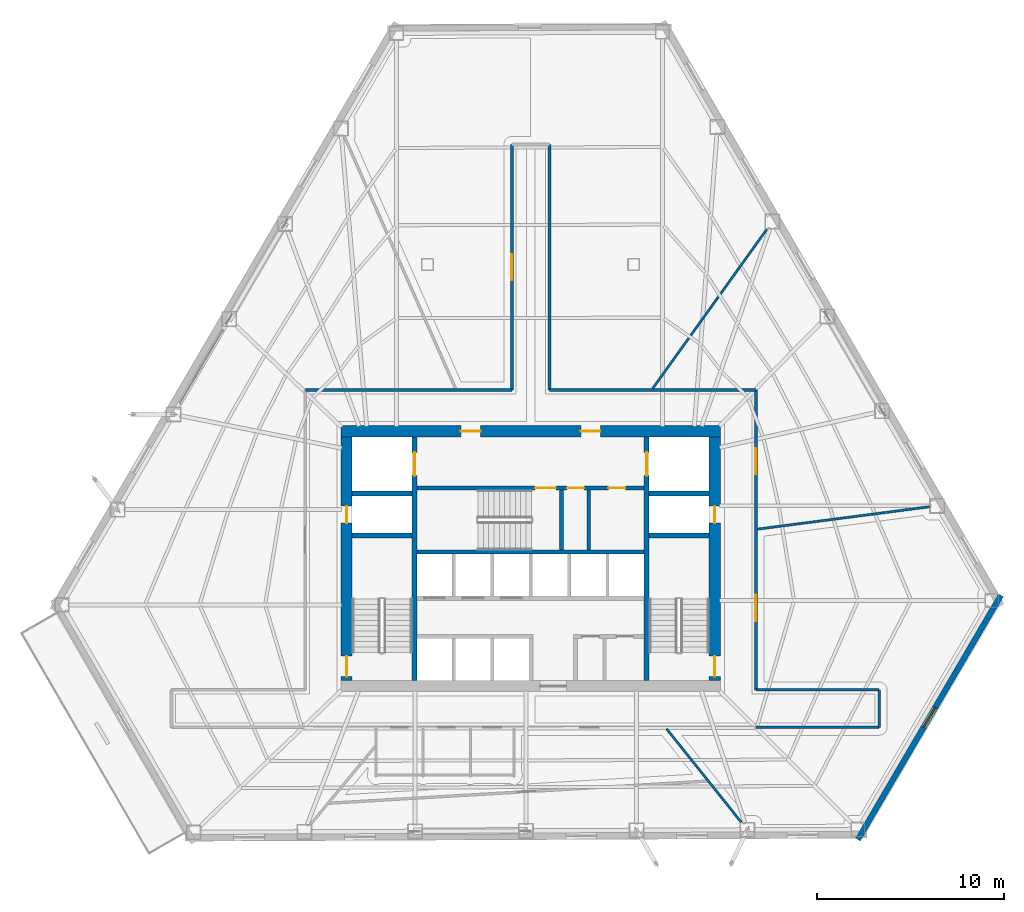
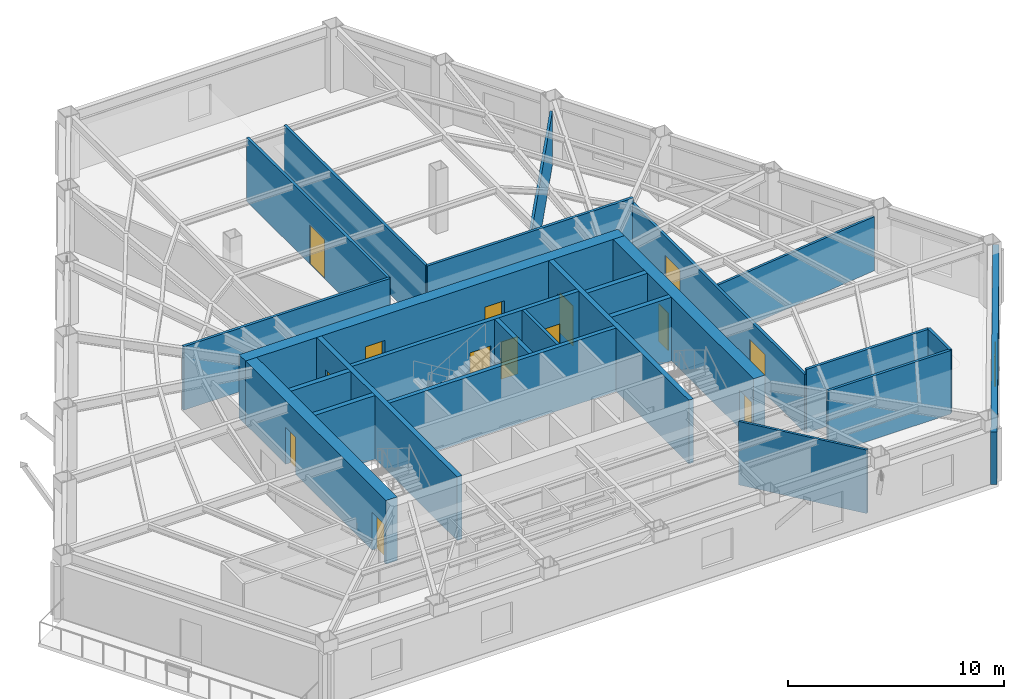
# One storey, part 10 of 15: 25 walls, 14 doors, 1 window, 15 openings.
"""IFC4 building model written with IfcOpenShell, lengths in metres."""

from ifc_helpers import new_model, si_unit, direction, frame, frame_2d, origin, place, context, subcontext, project, spatial, rectangle, extrude, material, layer, layer_set, type_object, element, fill, save


model = new_model("IFC4")

# Units and contexts
model_context = context("Model", 3, precision=1e-05, world=origin(), true_north=direction((0.0, 1.0)))
body_context = subcontext(model_context, "Body", "Model", "MODEL_VIEW")
ifc_project = project(units=[si_unit("LENGTHUNIT", "METRE"), si_unit("AREAUNIT", "SQUARE_METRE"), si_unit("VOLUMEUNIT", "CUBIC_METRE"), si_unit("PLANEANGLEUNIT", "RADIAN"), si_unit("MASSUNIT", "GRAM", prefix="KILO")], contexts=[model_context])

# Site, building, storey
site_placement = place(None, origin())
site = spatial("IfcSite", under=ifc_project, at=site_placement, CompositionType="ELEMENT")
building_placement = place(site_placement, origin())
building = spatial("IfcBuilding", under=site, at=building_placement, Name="Kavelnor Concourse Tower", CompositionType="ELEMENT")
storey_placement = place(building_placement, frame((0.0, 0.0, 67.60009765625)))
storey = spatial("IfcBuildingStorey", under=building, at=storey_placement, Name="L17", CompositionType="ELEMENT", Elevation=67.60009765625)

# Wall, openings, doors
ifc_material_1 = material(Name="Concrete C60/75", Category="concrete")
ifc_layer_1 = layer(ifc_material_1, 0.60009765625, Name="Concrete C60/75")
ifc_layer_set_1 = layer_set([ifc_layer_1], Name="Concrete C60/75")
wall_type_1 = type_object("IfcWallType", Name="WL-CORE-Z1-600", PredefinedType="SOLIDWALL", material=ifc_layer_set_1)
wall_1_placement = place(storey_placement, frame((27.8798828125, 22.89990234375, 0.0), z_axis=(0.0, 0.0, 1.0), x_axis=(1.0, 0.0, 0.0)))
wall_1 = element("IfcWall", 1, at=wall_1_placement, inside=storey, type_object=wall_type_1, Name="L17 Central Core North Shear Wall", PredefinedType="SOLIDWALL", context=body_context, shape_type="SweptSolid", body=[
    extrude(rectangle(XDim=20.240234375, YDim=0.60009765625, at=frame_2d((10.1201171875, 0.0))), origin(), (0.0, 0.0, 1.0), 3.58984375),
])
opening_1_placement = place(wall_1_placement, frame((6.39501953125, 0.0, 0.0)))
opening_1 = element("IfcOpeningElement", 2, at=opening_1_placement, cuts=wall_1, Name="Opening FD-105", PredefinedType="OPENING", context=body_context, shape_type="SweptSolid", body=[
    extrude(rectangle(XDim=1.050048828125, YDim=2.14990234375, at=frame_2d((0.52490234375, 1.074951171875))), frame((0.0, 0.31005859375, 0.0), z_axis=(0.0, -1.0, 0.0), x_axis=(1.0, 0.0, 0.0)), (0.0, 0.0, 1.0), 0.6201171875),
])
opening_2_placement = place(wall_1_placement, frame((12.794921875, 0.0, 0.0)))
opening_2 = element("IfcOpeningElement", 3, at=opening_2_placement, cuts=wall_1, Name="Opening FD-105", PredefinedType="OPENING", context=body_context, shape_type="SweptSolid", body=[
    extrude(rectangle(XDim=1.050048828125, YDim=2.14990234375, at=frame_2d((0.52490234375, 1.074951171875))), frame((0.0, 0.31005859375, 0.0), z_axis=(0.0, -1.0, 0.0), x_axis=(1.0, 0.0, 0.0)), (0.0, 0.0, 1.0), 0.6201171875),
])
ifc_material_2 = material(Name="Steel Grade 350", Category="steel")
door_type_1 = type_object("IfcDoorType", Name="DR-LOBBY-FIRE-1050", OperationType="NOTDEFINED", PredefinedType="DOOR", material=ifc_material_2)
door_1_placement = place(opening_1_placement, origin())
door_1 = element("IfcDoor", 4, at=door_1_placement, inside=storey, type_object=door_type_1, Name="L17 Emergency Lift Lobby West Door", OperationType="SINGLE_SWING_LEFT", OverallHeight=2.14990234375, OverallWidth=1.050048828125, PredefinedType="DOOR", context=body_context, shape_type="SweptSolid", body=[
    extrude(rectangle(XDim=1.050048828125, YDim=2.14990234375, at=frame_2d((0.52490234375, 1.074951171875))), frame((0.0, 0.02490234375, 0.0), z_axis=(0.0, -1.0, 0.0), x_axis=(1.0, 0.0, 0.0)), (0.0, 0.0, 1.0), 0.050048828125),
])
fill(opening_1, door_1)
door_2_placement = place(opening_2_placement, origin())
door_2 = element("IfcDoor", 5, at=door_2_placement, inside=storey, type_object=door_type_1, Name="L17 Emergency Lift Lobby East Door", OperationType="SINGLE_SWING_RIGHT", OverallHeight=2.14990234375, OverallWidth=1.050048828125, PredefinedType="DOOR", context=body_context, shape_type="SweptSolid", body=[
    extrude(rectangle(XDim=1.050048828125, YDim=2.14990234375, at=frame_2d((0.52490234375, 1.074951171875))), frame((0.0, 0.02490234375, 0.0), z_axis=(0.0, -1.0, 0.0), x_axis=(1.0, 0.0, 0.0)), (0.0, 0.0, 1.0), 0.050048828125),
])
fill(opening_2, door_2)

wall_2_placement = place(storey_placement, frame((28.179931640625, 9.60009765625, 0.0), z_axis=(0.0, 0.0, 1.0), x_axis=(0.0, 1.0, 0.0)))
wall_2 = element("IfcWall", 6, at=wall_2_placement, inside=storey, type_object=wall_type_1, Name="L17 Central Core West Shear Wall", PredefinedType="SOLIDWALL", context=body_context, shape_type="SweptSolid", body=[
    extrude(rectangle(XDim=13.0, YDim=0.60009765625, at=frame_2d((6.5, 0.0))), origin(), (0.0, 0.0, 1.0), 3.58984375),
])
opening_3_placement = place(wall_2_placement, frame((0.199951171875, 0.0, 0.0)))
opening_3 = element("IfcOpeningElement", 7, at=opening_3_placement, cuts=wall_2, Name="Opening FD-110", PredefinedType="OPENING", context=body_context, shape_type="SweptSolid", body=[
    extrude(rectangle(XDim=1.10009765625, YDim=2.14990234375, at=frame_2d((0.550048828125, 1.074951171875))), frame((0.0, 0.31005859375, 0.0), z_axis=(0.0, -1.0, 0.0), x_axis=(1.0, 0.0, 0.0)), (0.0, 0.0, 1.0), 0.6201171875),
])
opening_4_placement = place(wall_2_placement, frame((8.39990234375, 0.0, 0.0)))
opening_4 = element("IfcOpeningElement", 8, at=opening_4_placement, cuts=wall_2, Name="Opening FD-090", PredefinedType="OPENING", context=body_context, shape_type="SweptSolid", body=[
    extrude(rectangle(XDim=0.89990234375, YDim=2.10009765625, at=frame_2d((0.449951171875, 1.050048828125))), frame((0.0, 0.31005859375, 0.0), z_axis=(0.0, -1.0, 0.0), x_axis=(1.0, 0.0, 0.0)), (0.0, 0.0, 1.0), 0.6201171875),
])
door_type_2 = type_object("IfcDoorType", Name="DR-RISER-FIRE-900", OperationType="NOTDEFINED", PredefinedType="DOOR", material=ifc_material_2)
door_3_placement = place(opening_4_placement, origin())
door_3 = element("IfcDoor", 9, at=door_3_placement, inside=storey, type_object=door_type_2, Name="L17 West Riser Access Door", OperationType="SINGLE_SWING_RIGHT", OverallHeight=2.10009765625, OverallWidth=0.89990234375, PredefinedType="DOOR", context=body_context, shape_type="SweptSolid", body=[
    extrude(rectangle(XDim=0.89990234375, YDim=2.10009765625, at=frame_2d((0.449951171875, 1.050048828125))), frame((0.0, 0.02490234375, 0.0), z_axis=(0.0, -1.0, 0.0), x_axis=(1.0, 0.0, 0.0)), (0.0, 0.0, 1.0), 0.050048828125),
])
fill(opening_4, door_3)
door_type_3 = type_object("IfcDoorType", Name="DR-STAIR-FIRE-1100", OperationType="NOTDEFINED", PredefinedType="DOOR", material=ifc_material_2)
door_4_placement = place(opening_3_placement, origin())
door_4 = element("IfcDoor", 10, at=door_4_placement, inside=storey, type_object=door_type_3, Name="L17 Stair ST1 Fire Door", OperationType="SINGLE_SWING_LEFT", OverallHeight=2.14990234375, OverallWidth=1.10009765625, PredefinedType="DOOR", context=body_context, shape_type="SweptSolid", body=[
    extrude(rectangle(XDim=1.10009765625, YDim=2.14990234375, at=frame_2d((0.550048828125, 1.074951171875))), frame((0.0, 0.02490234375, 0.0), z_axis=(0.0, -1.0, 0.0), x_axis=(1.0, 0.0, 0.0)), (0.0, 0.0, 1.0), 0.050048828125),
])
fill(opening_3, door_4)

wall_3_placement = place(storey_placement, frame((47.820068359375, 9.60009765625, 0.0), z_axis=(0.0, 0.0, 1.0), x_axis=(0.0, 1.0, 0.0)))
wall_3 = element("IfcWall", 11, at=wall_3_placement, inside=storey, type_object=wall_type_1, Name="L17 Central Core East Shear Wall", PredefinedType="SOLIDWALL", context=body_context, shape_type="SweptSolid", body=[
    extrude(rectangle(XDim=13.0, YDim=0.60009765625, at=frame_2d((6.5, 0.0))), origin(), (0.0, 0.0, 1.0), 3.58984375),
])
opening_5_placement = place(wall_3_placement, frame((0.199951171875, 0.0, 0.0)))
opening_5 = element("IfcOpeningElement", 12, at=opening_5_placement, cuts=wall_3, Name="Opening FD-110", PredefinedType="OPENING", context=body_context, shape_type="SweptSolid", body=[
    extrude(rectangle(XDim=1.10009765625, YDim=2.14990234375, at=frame_2d((0.550048828125, 1.074951171875))), frame((0.0, 0.31005859375, 0.0), z_axis=(0.0, -1.0, 0.0), x_axis=(1.0, 0.0, 0.0)), (0.0, 0.0, 1.0), 0.6201171875),
])
opening_6_placement = place(wall_3_placement, frame((8.39990234375, 0.0, 0.0)))
opening_6 = element("IfcOpeningElement", 13, at=opening_6_placement, cuts=wall_3, Name="Opening FD-090", PredefinedType="OPENING", context=body_context, shape_type="SweptSolid", body=[
    extrude(rectangle(XDim=0.89990234375, YDim=2.10009765625, at=frame_2d((0.449951171875, 1.050048828125))), frame((0.0, 0.31005859375, 0.0), z_axis=(0.0, -1.0, 0.0), x_axis=(1.0, 0.0, 0.0)), (0.0, 0.0, 1.0), 0.6201171875),
])
door_5_placement = place(opening_6_placement, origin())
door_5 = element("IfcDoor", 14, at=door_5_placement, inside=storey, type_object=door_type_2, Name="L17 East Riser Access Door", OperationType="SINGLE_SWING_LEFT", OverallHeight=2.10009765625, OverallWidth=0.89990234375, PredefinedType="DOOR", context=body_context, shape_type="SweptSolid", body=[
    extrude(rectangle(XDim=0.89990234375, YDim=2.10009765625, at=frame_2d((0.449951171875, 1.050048828125))), frame((0.0, 0.02490234375, 0.0), z_axis=(0.0, -1.0, 0.0), x_axis=(1.0, 0.0, 0.0)), (0.0, 0.0, 1.0), 0.050048828125),
])
fill(opening_6, door_5)
door_6_placement = place(opening_5_placement, origin())
door_6 = element("IfcDoor", 15, at=door_6_placement, inside=storey, type_object=door_type_3, Name="L17 Stair ST2 Fire Door", OperationType="SINGLE_SWING_RIGHT", OverallHeight=2.14990234375, OverallWidth=1.10009765625, PredefinedType="DOOR", context=body_context, shape_type="SweptSolid", body=[
    extrude(rectangle(XDim=1.10009765625, YDim=2.14990234375, at=frame_2d((0.550048828125, 1.074951171875))), frame((0.0, 0.02490234375, 0.0), z_axis=(0.0, -1.0, 0.0), x_axis=(1.0, 0.0, 0.0)), (0.0, 0.0, 1.0), 0.050048828125),
])
fill(opening_5, door_6)

# Wall, opening, window
ifc_material_3 = material(Name="Buff ironspot clay face brick masonry", Category="masonry")
ifc_layer_2 = layer(ifc_material_3, 0.300048828125, Name="Buff ironspot clay face brick masonry")
ifc_layer_set_2 = layer_set([ifc_layer_2], Name="Buff ironspot clay face brick masonry")
wall_type_2 = type_object("IfcWallType", Name="WL-EXT-BUFF-BRICK-FOLD-300", PredefinedType="STANDARD", material=ifc_layer_set_2)
wall_4_placement = place(storey_placement, frame((63.091064453125, 14.142822265625, 0.0), z_axis=(0.0, 0.0, 1.0), x_axis=(-0.505336903524, -0.86292213666, 0.0)))
wall_4 = element("IfcWall", 16, at=wall_4_placement, inside=storey, type_object=wall_type_2, Name="L17 Exterior Brick Facade Wall E4", PredefinedType="STANDARD", context=body_context, shape_type="SweptSolid", body=[
    extrude(rectangle(XDim=15.10107421875, YDim=0.300048828125, at=frame_2d((7.550537109375, 0.0))), origin(), (0.0, 0.0, 1.0), 2.969970703125),
])
opening_7_placement = place(wall_4_placement, frame((6.95068359375, 0.0, 0.64990234375)))
opening_7 = element("IfcOpeningElement", 17, at=opening_7_placement, cuts=wall_4, Name="Opening W-05", PredefinedType="OPENING", context=body_context, shape_type="SweptSolid", body=[
    extrude(rectangle(XDim=1.199951171875, YDim=1.699951171875, at=frame_2d((0.60009765625, 0.85009765625))), frame((0.0, 0.16015625, 0.0), z_axis=(0.0, -1.0, 0.0), x_axis=(1.0, 0.0, 0.0)), (0.0, 0.0, 1.0), 0.320068359375),
])
ifc_material_4 = material(Name="Double low-E argon insulated glazing", Category="glass")
window_type = type_object("IfcWindowType", Name="WIN-FOLD-1200", PartitioningType="SINGLE_PANEL", PredefinedType="WINDOW", material=ifc_material_4)
window_placement = place(opening_7_placement, origin())
window = element("IfcWindow", 18, at=window_placement, inside=storey, type_object=window_type, Name="L17 Chamfer-Fold Facet Window C2", OverallHeight=1.699951171875, OverallWidth=1.199951171875, PartitioningType="SINGLE_PANEL", PredefinedType="WINDOW", context=body_context, shape_type="SweptSolid", body=[
    extrude(rectangle(XDim=1.199951171875, YDim=1.699951171875, at=frame_2d((0.60009765625, 0.85009765625))), frame((0.0, 0.030029296875, 0.0), z_axis=(0.0, -1.0, 0.0), x_axis=(1.0, 0.0, 0.0)), (0.0, 0.0, 1.0), 0.06005859375),
])
fill(opening_7, window)

# Wall
ifc_material_5 = material(Name="Gypsum plasterboard on light-gauge steel studs", Category="steel")
ifc_layer_3 = layer(ifc_material_5, 0.14501953125, Name="Gypsum plasterboard on light-gauge steel studs")
ifc_layer_set_3 = layer_set([ifc_layer_3], Name="Gypsum plasterboard on light-gauge steel studs")
wall_type_3 = type_object("IfcWallType", Name="WL-INT-CORR-145", PredefinedType="PARTITIONING", material=ifc_layer_set_3)
wall_5_placement = place(storey_placement, frame((25.97998046875, 25.10009765625, 0.0), z_axis=(0.0, 0.0, 1.0), x_axis=(1.0, 0.0, 0.0)))
element("IfcWall", 19, at=wall_5_placement, inside=storey, type_object=wall_type_3, Name="L17 Corridor Wall WL-L17-CR-03", PredefinedType="PARTITIONING", context=body_context, shape_type="SweptSolid", body=[
    extrude(rectangle(XDim=11.02001953125, YDim=0.14501953125, at=frame_2d((5.510009765625, 0.0))), origin(), (0.0, 0.0, 1.0), 3.58984375),
])

# Wall, opening, door
wall_6_placement = place(storey_placement, frame((37.0, 25.10009765625, 0.0), z_axis=(0.0, 0.0, 1.0), x_axis=(0.0, 1.0, 0.0)))
wall_6 = element("IfcWall", 20, at=wall_6_placement, inside=storey, type_object=wall_type_3, Name="L17 Corridor Wall WL-L17-CR-04", PredefinedType="PARTITIONING", context=body_context, shape_type="SweptSolid", body=[
    extrude(rectangle(XDim=13.099853515625, YDim=0.14501953125, at=frame_2d((6.5498046875, 0.0))), origin(), (0.0, 0.0, 1.0), 3.58984375),
])
opening_8_placement = place(wall_6_placement, frame((5.85009765625, 0.0, 0.0)))
opening_8 = element("IfcOpeningElement", 21, at=opening_8_placement, cuts=wall_6, Name="Opening SD-140", PredefinedType="OPENING", context=body_context, shape_type="SweptSolid", body=[
    extrude(rectangle(XDim=1.39990234375, YDim=2.199951171875, at=frame_2d((0.699951171875, 1.10009765625))), frame((0.0, 0.08251953125, 0.0), z_axis=(0.0, -1.0, 0.0), x_axis=(1.0, 0.0, 0.0)), (0.0, 0.0, 1.0), 0.1650390625),
])
ifc_material_6 = material(Name="Solid-core hardwood timber", Category="wood")
door_type_4 = type_object("IfcDoorType", Name="DR-SUITE-ENTRY-1400", OperationType="NOTDEFINED", PredefinedType="DOOR", material=ifc_material_6)
door_7_placement = place(opening_8_placement, origin())
door_7 = element("IfcDoor", 22, at=door_7_placement, inside=storey, type_object=door_type_4, Name="L17 Staff Breakout Pantry 02 Door", OperationType="SINGLE_SWING_RIGHT", OverallHeight=2.199951171875, OverallWidth=1.39990234375, PredefinedType="DOOR", context=body_context, shape_type="SweptSolid", body=[
    extrude(rectangle(XDim=1.39990234375, YDim=2.199951171875, at=frame_2d((0.699951171875, 1.10009765625))), frame((0.0, 0.02490234375, 0.0), z_axis=(0.0, -1.0, 0.0), x_axis=(1.0, 0.0, 0.0)), (0.0, 0.0, 1.0), 0.050048828125),
])
fill(opening_8, door_7)

# Walls
wall_7_placement = place(storey_placement, frame((39.0, 38.199951171875, 0.0), z_axis=(0.0, 0.0, 1.0), x_axis=(0.0, -1.0, 0.0)))
element("IfcWall", 23, at=wall_7_placement, inside=storey, type_object=wall_type_3, Name="L17 Corridor Wall WL-L17-CR-06", PredefinedType="PARTITIONING", context=body_context, shape_type="SweptSolid", body=[
    extrude(rectangle(XDim=13.099853515625, YDim=0.14501953125, at=frame_2d((6.5498046875, 0.0))), origin(), (0.0, 0.0, 1.0), 3.58984375),
])
wall_8_placement = place(storey_placement, frame((39.0, 25.10009765625, 0.0), z_axis=(0.0, 0.0, 1.0), x_axis=(1.0, 0.0, 0.0)))
element("IfcWall", 24, at=wall_8_placement, inside=storey, type_object=wall_type_3, Name="L17 Corridor Wall WL-L17-CR-07", PredefinedType="PARTITIONING", context=body_context, shape_type="SweptSolid", body=[
    extrude(rectangle(XDim=11.02001953125, YDim=0.14501953125, at=frame_2d((5.510009765625, 0.0))), origin(), (0.0, 0.0, 1.0), 3.58984375),
])

# Wall, openings, doors
wall_9_placement = place(storey_placement, frame((50.02001953125, 25.10009765625, 0.0), z_axis=(0.0, 0.0, 1.0), x_axis=(0.0, -1.0, 0.0)))
wall_9 = element("IfcWall", 25, at=wall_9_placement, inside=storey, type_object=wall_type_3, Name="L17 Corridor Wall WL-L17-CR-08", PredefinedType="PARTITIONING", context=body_context, shape_type="SweptSolid", body=[
    extrude(rectangle(XDim=16.0, YDim=0.14501953125, at=frame_2d((8.0, 0.0))), origin(), (0.0, 0.0, 1.0), 3.27783203125),
])
opening_9_placement = place(wall_9_placement, frame((3.098388671875, 0.0, 0.0)))
opening_9 = element("IfcOpeningElement", 26, at=opening_9_placement, cuts=wall_9, Name="Opening SD-140", PredefinedType="OPENING", context=body_context, shape_type="SweptSolid", body=[
    extrude(rectangle(XDim=1.39990234375, YDim=2.199951171875, at=frame_2d((0.699951171875, 1.10009765625))), frame((0.0, 0.08251953125, 0.0), z_axis=(0.0, -1.0, 0.0), x_axis=(1.0, 0.0, 0.0)), (0.0, 0.0, 1.0), 0.1650390625),
])
opening_10_placement = place(wall_9_placement, frame((10.927490234375, 0.0, 0.0)))
opening_10 = element("IfcOpeningElement", 27, at=opening_10_placement, cuts=wall_9, Name="Opening SD-140", PredefinedType="OPENING", context=body_context, shape_type="SweptSolid", body=[
    extrude(rectangle(XDim=1.39990234375, YDim=2.199951171875, at=frame_2d((0.699951171875, 1.10009765625))), frame((0.0, 0.08251953125, 0.0), z_axis=(0.0, -1.0, 0.0), x_axis=(1.0, 0.0, 0.0)), (0.0, 0.0, 1.0), 0.1650390625),
])
door_8_placement = place(opening_9_placement, origin())
door_8 = element("IfcDoor", 28, at=door_8_placement, inside=storey, type_object=door_type_4, Name="L17 Executive Dining Room 01 Door", OperationType="SINGLE_SWING_LEFT", OverallHeight=2.199951171875, OverallWidth=1.39990234375, PredefinedType="DOOR", context=body_context, shape_type="SweptSolid", body=[
    extrude(rectangle(XDim=1.39990234375, YDim=2.199951171875, at=frame_2d((0.699951171875, 1.10009765625))), frame((0.0, 0.02490234375, 0.0), z_axis=(0.0, -1.0, 0.0), x_axis=(1.0, 0.0, 0.0)), (0.0, 0.0, 1.0), 0.050048828125),
])
fill(opening_9, door_8)
door_9_placement = place(opening_10_placement, origin())
door_9 = element("IfcDoor", 29, at=door_9_placement, inside=storey, type_object=door_type_4, Name="L17 Executive Dining Room 06 Door", OperationType="SINGLE_SWING_RIGHT", OverallHeight=2.199951171875, OverallWidth=1.39990234375, PredefinedType="DOOR", context=body_context, shape_type="SweptSolid", body=[
    extrude(rectangle(XDim=1.39990234375, YDim=2.199951171875, at=frame_2d((0.699951171875, 1.10009765625))), frame((0.0, 0.02490234375, 0.0), z_axis=(0.0, -1.0, 0.0), x_axis=(1.0, 0.0, 0.0)), (0.0, 0.0, 1.0), 0.050048828125),
])
fill(opening_10, door_9)

# Walls
wall_10_placement = place(storey_placement, frame((50.02001953125, 9.10009765625, 0.0), z_axis=(0.0, 0.0, 1.0), x_axis=(1.0, 0.0, 0.0)))
element("IfcWall", 30, at=wall_10_placement, inside=storey, type_object=wall_type_3, Name="L17 Corridor Wall WL-L17-CR-09", PredefinedType="PARTITIONING", context=body_context, shape_type="SweptSolid", body=[
    extrude(rectangle(XDim=6.57177734375, YDim=0.14501953125, at=frame_2d((3.285888671875, 0.0))), origin(), (0.0, 0.0, 1.0), 3.58984375),
])
wall_11_placement = place(storey_placement, frame((56.591796875, 9.10009765625, 0.0), z_axis=(0.0, 0.0, 1.0), x_axis=(0.0, -1.0, 0.0)))
element("IfcWall", 31, at=wall_11_placement, inside=storey, type_object=wall_type_3, Name="L17 Corridor Wall WL-L17-CR-10", PredefinedType="PARTITIONING", context=body_context, shape_type="SweptSolid", body=[
    extrude(rectangle(XDim=2.0, YDim=0.14501953125, at=frame_2d((1.0, 0.0))), origin(), (0.0, 0.0, 1.0), 3.58984375),
])
wall_12_placement = place(storey_placement, frame((56.591796875, 7.10009765625, 0.0), z_axis=(0.0, 0.0, 1.0), x_axis=(-1.0, 0.0, 0.0)))
element("IfcWall", 32, at=wall_12_placement, inside=storey, type_object=wall_type_3, Name="L17 Corridor Wall WL-L17-CR-11", PredefinedType="PARTITIONING", context=body_context, shape_type="SweptSolid", body=[
    extrude(rectangle(XDim=6.57177734375, YDim=0.14501953125, at=frame_2d((3.285888671875, 0.0))), origin(), (0.0, 0.0, 1.0), 3.58984375),
])
ifc_layer_4 = layer(ifc_material_5, 0.1650390625, Name="Gypsum plasterboard on light-gauge steel studs")
ifc_layer_set_4 = layer_set([ifc_layer_4], Name="Gypsum plasterboard on light-gauge steel studs")
wall_type_4 = type_object("IfcWallType", Name="WL-INT-FIRE-165", PredefinedType="PARTITIONING", material=ifc_layer_set_4)
wall_13_placement = place(storey_placement, frame((41.10009765625, 16.56005859375, 0.0), z_axis=(0.0, 0.0, 1.0), x_axis=(0.0, 1.0, 0.0)))
element("IfcWall", 33, at=wall_13_placement, inside=storey, type_object=wall_type_4, Name="L17 Core Support West Divider", PredefinedType="PARTITIONING", context=body_context, shape_type="SweptSolid", body=[
    extrude(rectangle(XDim=3.199951171875, YDim=0.1650390625, at=frame_2d((1.60009765625, 0.0))), origin(), (0.0, 0.0, 1.0), 3.58984375),
])
ifc_layer_5 = layer(ifc_material_5, 0.125, Name="Gypsum plasterboard on light-gauge steel studs")
ifc_layer_set_5 = layer_set([ifc_layer_5], Name="Gypsum plasterboard on light-gauge steel studs")
wall_type_5 = type_object("IfcWallType", Name="WL-INT-SUITE-125", PredefinedType="PARTITIONING", material=ifc_layer_set_5)
wall_14_placement = place(storey_placement, frame((50.1005859375, 17.673583984375, 0.0), z_axis=(0.0, 0.0, 1.0), x_axis=(0.991648297641, 0.128971523162, 0.0)))
element("IfcWall", 34, at=wall_14_placement, inside=storey, type_object=wall_type_5, Name="L17 Radial Suite Partition 01", PredefinedType="PARTITIONING", context=body_context, shape_type="SweptSolid", body=[
    extrude(rectangle(XDim=9.2548828125, YDim=0.125, at=frame_2d((4.62744140625, 0.0))), origin(), (0.0, 0.0, 1.0), 3.056884765625),
])
wall_15_placement = place(storey_placement, frame((44.511962890625, 25.180419921875, 0.0), z_axis=(0.0, 0.0, 1.0), x_axis=(0.582750338363, 0.812651243239, 0.0)))
element("IfcWall", 35, at=wall_15_placement, inside=storey, type_object=wall_type_5, Name="L17 Radial Suite Partition 02", PredefinedType="PARTITIONING", context=body_context, shape_type="SweptSolid", body=[
    extrude(rectangle(XDim=10.454833984375, YDim=0.125, at=frame_2d((5.2275390625, 0.0))), origin(), (0.0, 0.0, 1.0), 3.056884765625),
])
wall_16_placement = place(storey_placement, frame((45.25390625, 7.01953125, 0.0), z_axis=(0.0, 0.0, 1.0), x_axis=(0.624167183672, -0.781290808103, 0.0)))
element("IfcWall", 36, at=wall_16_placement, inside=storey, type_object=wall_type_5, Name="L17 Radial Suite Partition 05", PredefinedType="PARTITIONING", context=body_context, shape_type="SweptSolid", body=[
    extrude(rectangle(XDim=6.375244140625, YDim=0.125, at=frame_2d((3.1875, 0.0))), origin(), (0.0, 0.0, 1.0), 3.58984375),
])

# Wall, openings, doors
ifc_material_7 = material(Name="Concrete C50/60", Category="concrete")
ifc_layer_6 = layer(ifc_material_7, 0.219970703125, Name="Concrete C50/60")
ifc_layer_set_6 = layer_set([ifc_layer_6], Name="Concrete C50/60")
wall_type_6 = type_object("IfcWallType", Name="WL-SHAFT-220", PredefinedType="SOLIDWALL", material=ifc_layer_set_6)
wall_17_placement = place(storey_placement, frame((31.93994140625, 19.8701171875, 0.0), z_axis=(0.0, 0.0, 1.0), x_axis=(1.0, 0.0, 0.0)))
wall_17 = element("IfcWall", 37, at=wall_17_placement, inside=storey, type_object=wall_type_6, Name="L17 Emergency Lift Lobby South Wall", PredefinedType="SOLIDWALL", context=body_context, shape_type="SweptSolid", body=[
    extrude(rectangle(XDim=12.1201171875, YDim=0.219970703125, at=frame_2d((6.06005859375, 0.0))), origin(), (0.0, 0.0, 1.0), 3.58984375),
])
opening_11_placement = place(wall_17_placement, frame((6.300048828125, 0.0, 0.0)))
opening_11 = element("IfcOpeningElement", 38, at=opening_11_placement, cuts=wall_17, Name="Opening FD-110", PredefinedType="OPENING", context=body_context, shape_type="SweptSolid", body=[
    extrude(rectangle(XDim=1.10009765625, YDim=2.14990234375, at=frame_2d((0.550048828125, 1.074951171875))), frame((0.0, 0.1201171875, 0.0), z_axis=(0.0, -1.0, 0.0), x_axis=(1.0, 0.0, 0.0)), (0.0, 0.0, 1.0), 0.239990234375),
])
opening_12_placement = place(wall_17_placement, frame((8.010009765625, 0.0, 0.0)))
opening_12 = element("IfcOpeningElement", 39, at=opening_12_placement, cuts=wall_17, Name="Opening FD-090", PredefinedType="OPENING", context=body_context, shape_type="SweptSolid", body=[
    extrude(rectangle(XDim=0.89990234375, YDim=2.10009765625, at=frame_2d((0.449951171875, 1.050048828125))), frame((0.0, 0.1201171875, 0.0), z_axis=(0.0, -1.0, 0.0), x_axis=(1.0, 0.0, 0.0)), (0.0, 0.0, 1.0), 0.239990234375),
])
opening_13_placement = place(wall_17_placement, frame((10.2099609375, 0.0, 0.0)))
opening_13 = element("IfcOpeningElement", 40, at=opening_13_placement, cuts=wall_17, Name="Opening FD-090", PredefinedType="OPENING", context=body_context, shape_type="SweptSolid", body=[
    extrude(rectangle(XDim=0.89990234375, YDim=2.10009765625, at=frame_2d((0.449951171875, 1.050048828125))), frame((0.0, 0.1201171875, 0.0), z_axis=(0.0, -1.0, 0.0), x_axis=(1.0, 0.0, 0.0)), (0.0, 0.0, 1.0), 0.239990234375),
])
door_10_placement = place(opening_12_placement, origin())
door_10 = element("IfcDoor", 41, at=door_10_placement, inside=storey, type_object=door_type_2, Name="L17 Cleaner Door", OperationType="SINGLE_SWING_RIGHT", OverallHeight=2.10009765625, OverallWidth=0.89990234375, PredefinedType="DOOR", context=body_context, shape_type="SweptSolid", body=[
    extrude(rectangle(XDim=0.89990234375, YDim=2.10009765625, at=frame_2d((0.449951171875, 1.050048828125))), frame((0.0, 0.02490234375, 0.0), z_axis=(0.0, -1.0, 0.0), x_axis=(1.0, 0.0, 0.0)), (0.0, 0.0, 1.0), 0.050048828125),
])
fill(opening_12, door_10)
door_11_placement = place(opening_13_placement, origin())
door_11 = element("IfcDoor", 42, at=door_11_placement, inside=storey, type_object=door_type_2, Name="L17 UPS Room Door", OperationType="SINGLE_SWING_LEFT", OverallHeight=2.10009765625, OverallWidth=0.89990234375, PredefinedType="DOOR", context=body_context, shape_type="SweptSolid", body=[
    extrude(rectangle(XDim=0.89990234375, YDim=2.10009765625, at=frame_2d((0.449951171875, 1.050048828125))), frame((0.0, 0.02490234375, 0.0), z_axis=(0.0, -1.0, 0.0), x_axis=(1.0, 0.0, 0.0)), (0.0, 0.0, 1.0), 0.050048828125),
])
fill(opening_13, door_11)
door_12_placement = place(opening_11_placement, origin())
door_12 = element("IfcDoor", 43, at=door_12_placement, inside=storey, type_object=door_type_3, Name="L17 Stair ST3 Fire Door", OperationType="SINGLE_SWING_LEFT", OverallHeight=2.14990234375, OverallWidth=1.10009765625, PredefinedType="DOOR", context=body_context, shape_type="SweptSolid", body=[
    extrude(rectangle(XDim=1.10009765625, YDim=2.14990234375, at=frame_2d((0.550048828125, 1.074951171875))), frame((0.0, 0.02490234375, 0.0), z_axis=(0.0, -1.0, 0.0), x_axis=(1.0, 0.0, 0.0)), (0.0, 0.0, 1.0), 0.050048828125),
])
fill(opening_11, door_12)

# Walls
wall_18_placement = place(storey_placement, frame((31.93994140625, 16.449951171875, 0.0), z_axis=(0.0, 0.0, 1.0), x_axis=(1.0, 0.0, 0.0)))
element("IfcWall", 44, at=wall_18_placement, inside=storey, type_object=wall_type_6, Name="L17 Stair ST3 South Core Wall", PredefinedType="SOLIDWALL", context=body_context, shape_type="SweptSolid", body=[
    extrude(rectangle(XDim=12.1201171875, YDim=0.219970703125, at=frame_2d((6.06005859375, 0.0))), origin(), (0.0, 0.0, 1.0), 3.58984375),
])
wall_19_placement = place(storey_placement, frame((39.64990234375, 16.56005859375, 0.0), z_axis=(0.0, 0.0, 1.0), x_axis=(0.0, 1.0, 0.0)))
element("IfcWall", 45, at=wall_19_placement, inside=storey, type_object=wall_type_6, Name="L17 Stair ST3 East Core Wall", PredefinedType="SOLIDWALL", context=body_context, shape_type="SweptSolid", body=[
    extrude(rectangle(XDim=3.199951171875, YDim=0.219970703125, at=frame_2d((1.60009765625, 0.0))), origin(), (0.0, 0.0, 1.0), 3.58984375),
])

# Wall, opening, door
ifc_layer_7 = layer(ifc_material_7, 0.260009765625, Name="Concrete C50/60")
ifc_layer_set_7 = layer_set([ifc_layer_7], Name="Concrete C50/60")
wall_type_7 = type_object("IfcWallType", Name="WL-SHAFT-260", PredefinedType="SHEAR", material=ifc_layer_set_7)
wall_20_placement = place(storey_placement, frame((31.81005859375, 9.60009765625, 0.0), z_axis=(0.0, 0.0, 1.0), x_axis=(0.0, 1.0, 0.0)))
wall_20 = element("IfcWall", 46, at=wall_20_placement, inside=storey, type_object=wall_type_7, Name="L17 Core West Wing Shear Wall", PredefinedType="SHEAR", context=body_context, shape_type="SweptSolid", body=[
    extrude(rectangle(XDim=13.0, YDim=0.260009765625, at=frame_2d((6.5, 0.0))), origin(), (0.0, 0.0, 1.0), 3.58984375),
])
opening_14_placement = place(wall_20_placement, frame((10.925048828125, 0.0, 0.0)))
opening_14 = element("IfcOpeningElement", 47, at=opening_14_placement, cuts=wall_20, Name="Opening LD-125", PredefinedType="OPENING", context=body_context, shape_type="SweptSolid", body=[
    extrude(rectangle(XDim=1.25, YDim=2.25, at=frame_2d((0.625, 1.125))), frame((0.0, 0.14013671875, 0.0), z_axis=(0.0, -1.0, 0.0), x_axis=(1.0, 0.0, 0.0)), (0.0, 0.0, 1.0), 0.280029296875),
])
door_type_5 = type_object("IfcDoorType", Name="DR-LIFT-SLIDING-1250", OperationType="NOTDEFINED", PredefinedType="DOOR", material=ifc_material_2)
door_13_placement = place(opening_14_placement, origin())
door_13 = element("IfcDoor", 48, at=door_13_placement, inside=storey, type_object=door_type_5, Name="L17 Emergency Lift FL1 Landing Door", OperationType="DOUBLE_DOOR_SLIDING", OverallHeight=2.25, OverallWidth=1.25, PredefinedType="DOOR", context=body_context, shape_type="SweptSolid", body=[
    extrude(rectangle(XDim=1.25, YDim=2.25, at=frame_2d((0.625, 1.125))), frame((0.0, 0.02490234375, 0.0), z_axis=(0.0, -1.0, 0.0), x_axis=(1.0, 0.0, 0.0)), (0.0, 0.0, 1.0), 0.050048828125),
])
fill(opening_14, door_13)

wall_21_placement = place(storey_placement, frame((44.18994140625, 9.60009765625, 0.0), z_axis=(0.0, 0.0, 1.0), x_axis=(0.0, 1.0, 0.0)))
wall_21 = element("IfcWall", 49, at=wall_21_placement, inside=storey, type_object=wall_type_7, Name="L17 Core East Wing Shear Wall", PredefinedType="SHEAR", context=body_context, shape_type="SweptSolid", body=[
    extrude(rectangle(XDim=13.0, YDim=0.260009765625, at=frame_2d((6.5, 0.0))), origin(), (0.0, 0.0, 1.0), 3.58984375),
])
opening_15_placement = place(wall_21_placement, frame((10.925048828125, 0.0, 0.0)))
opening_15 = element("IfcOpeningElement", 50, at=opening_15_placement, cuts=wall_21, Name="Opening LD-125", PredefinedType="OPENING", context=body_context, shape_type="SweptSolid", body=[
    extrude(rectangle(XDim=1.25, YDim=2.25, at=frame_2d((0.625, 1.125))), frame((0.0, 0.14013671875, 0.0), z_axis=(0.0, -1.0, 0.0), x_axis=(1.0, 0.0, 0.0)), (0.0, 0.0, 1.0), 0.280029296875),
])
door_14_placement = place(opening_15_placement, origin())
door_14 = element("IfcDoor", 51, at=door_14_placement, inside=storey, type_object=door_type_5, Name="L17 Emergency Lift FL2 Landing Door", OperationType="DOUBLE_DOOR_SLIDING", OverallHeight=2.25, OverallWidth=1.25, PredefinedType="DOOR", context=body_context, shape_type="SweptSolid", body=[
    extrude(rectangle(XDim=1.25, YDim=2.25, at=frame_2d((0.625, 1.125))), frame((0.0, 0.02490234375, 0.0), z_axis=(0.0, -1.0, 0.0), x_axis=(1.0, 0.0, 0.0)), (0.0, 0.0, 1.0), 0.050048828125),
])
fill(opening_15, door_14)

# Walls
for number, where, z_axis, x_axis, name in (
    (52, (28.47998046875, 17.330078125, 0.0), (0.0, 0.0, 1.0), (1.0, 0.0, 0.0), "L17 Stair ST1 North Shaft Wall"),
    (53, (28.47998046875, 19.570068359375, 0.0), (0.0, 0.0, 1.0), (1.0, 0.0, 0.0), "L17 Emergency Lift FL1 South Shaft Wall"),
    (54, (44.320068359375, 17.330078125, 0.0), (0.0, 0.0, 1.0), (1.0, 0.0, 0.0), "L17 Stair ST2 North Shaft Wall"),
    (55, (44.320068359375, 19.570068359375, 0.0), (0.0, 0.0, 1.0), (1.0, 0.0, 0.0), "L17 Emergency Lift FL2 South Shaft Wall"),
):
    element("IfcWall", number, at=place(storey_placement, frame(where, z_axis=z_axis, x_axis=x_axis)), inside=storey, type_object=wall_type_7, Name=name, PredefinedType="SHEAR", context=body_context, shape_type="SweptSolid", body=[
        extrude(rectangle(XDim=3.199951171875, YDim=0.260009765625, at=frame_2d((1.60009765625, 0.0))), origin(), (0.0, 0.0, 1.0), 3.58984375),
    ])

save(model, "model.ifc")
